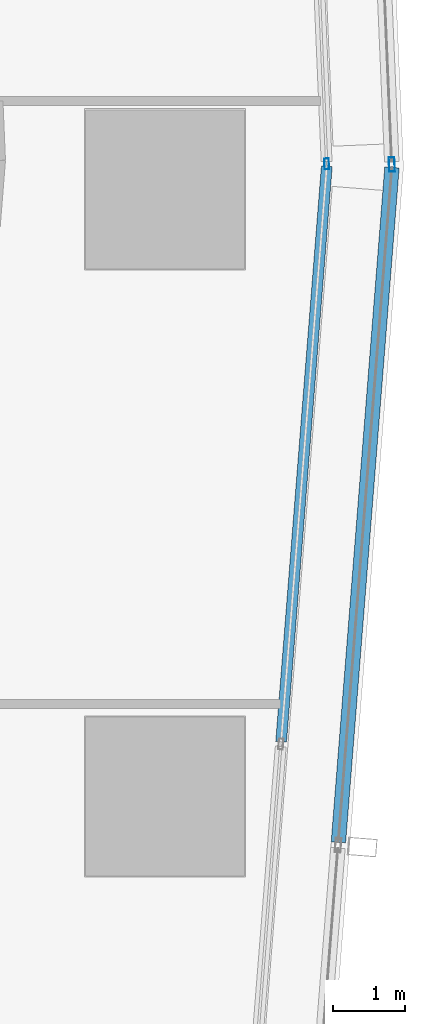
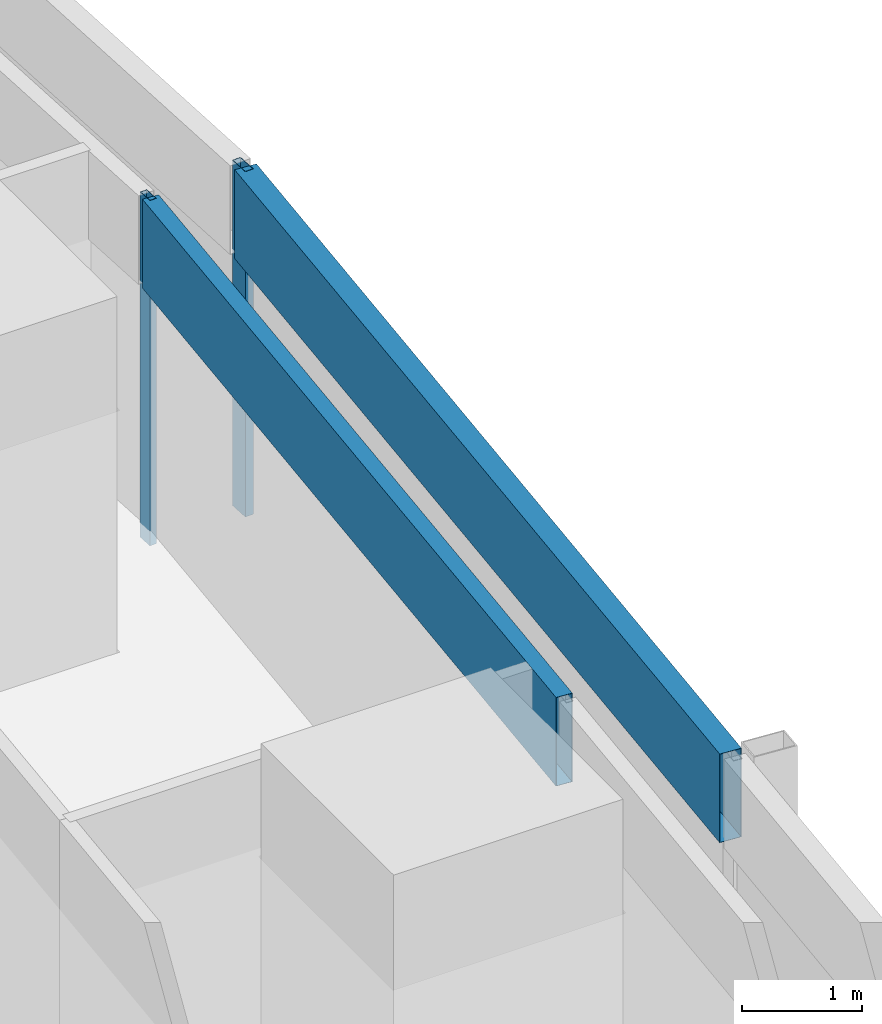
# One storey, part 26 of 45: 4 members, 4 elements without a shape of their own.
"""IFC4 building model written with IfcOpenShell, lengths in metres."""

from ifc_helpers import new_model, si_unit, direction, frame, origin, origin_2d, place, context, subcontext, project, spatial, hollow_rectangle, extrude, material, material_profile, profile_set, type_object, element, aggregate, save


model = new_model("IFC4")

# Units and contexts
model_context = context("Model", 3, precision=1e-05, world=origin(), true_north=direction((0.0, 1.0)))
body_context = subcontext(model_context, "Body", "Model", "MODEL_VIEW")
ifc_project = project(units=[si_unit("LENGTHUNIT", "METRE"), si_unit("AREAUNIT", "SQUARE_METRE"), si_unit("VOLUMEUNIT", "CUBIC_METRE"), si_unit("PLANEANGLEUNIT", "RADIAN"), si_unit("MASSUNIT", "GRAM", prefix="KILO")], contexts=[model_context])

# Site, building, storey
site_placement = place(None, origin())
site = spatial("IfcSite", under=ifc_project, at=site_placement, CompositionType="ELEMENT")
building_placement = place(site_placement, origin())
building = spatial("IfcBuilding", under=site, at=building_placement, Name="Rekha Terrace Tower", CompositionType="ELEMENT")
storey_placement = place(building_placement, frame((0.0, 0.0, 36.64990234375)))
storey = spatial("IfcBuildingStorey", under=building, at=storey_placement, Name="L08", CompositionType="ELEMENT", Elevation=36.64990234375)

# Curtain wall, member
ifc_material_1 = material(Name="Aluminium framing", Category="aluminium")
curtain_wall_type_1 = type_object("IfcCurtainWallType", Name="CW1 double skin inner glazing", PredefinedType="USERDEFINED", material=ifc_material_1)
curtain_wall_1_placement = place(storey_placement, origin())
curtain_wall_1 = element("IfcCurtainWall", 1, at=curtain_wall_1_placement, inside=storey, type_object=curtain_wall_type_1, Name="CW1 double skin inner glazing", ObjectType="DOUBLE SKIN INNER GLAZING", PredefinedType="USERDEFINED")
ifc_material_2 = material(Name="Aluminium mullion section", Category="aluminium")
ifc_material_profile_1 = material_profile(ifc_material_2, hollow_rectangle(XDim=0.06494140625, YDim=0.14990234375, WallThickness=0.00390625, at=origin_2d()), Name="AL RHS 65x150")
ifc_profile_set_1 = profile_set([ifc_material_profile_1], Name="Aluminium mullion section")
member_type_1 = type_object("IfcMemberType", Name="CW1 mullion RHS 65 x 150", PredefinedType="MULLION", material=ifc_profile_set_1)
member_1_placement = place(storey_placement, frame((69.436767578125, 25.5517578125, 0.0), z_axis=(0.0, 0.0, 1.0), x_axis=(-0.999088106904, -0.042696072921, 0.0)))
member_1 = element("IfcMember", 2, at=member_1_placement, type_object=member_type_1, Name="CW1 mullion 1", PredefinedType="MULLION", context=body_context, shape_type="SweptSolid", body=[
    extrude(hollow_rectangle(XDim=0.06494140625, YDim=0.14990234375, WallThickness=0.00390625, at=origin_2d()), origin(), (0.0, 0.0, 1.0), 3.5),
])
aggregate(curtain_wall_1, [member_1])

curtain_wall_2_placement = place(storey_placement, origin())
curtain_wall_2 = element("IfcCurtainWall", 3, at=curtain_wall_2_placement, inside=storey, type_object=curtain_wall_type_1, Name="CW1 double skin inner glazing", ObjectType="DOUBLE SKIN INNER GLAZING", PredefinedType="USERDEFINED")
ifc_material_3 = material(Name="Insulated aluminium spandrel box", Category="aluminium")
ifc_material_profile_2 = material_profile(ifc_material_3, hollow_rectangle(XDim=0.14990234375, YDim=0.89990234375, WallThickness=0.0029296875, at=origin_2d()), Name="AL SPANDREL BOX 150x900")
ifc_profile_set_2 = profile_set([ifc_material_profile_2], Name="Insulated aluminium spandrel box")
member_type_2 = type_object("IfcMemberType", Name="CW1 spandrel transom 150 x 900", PredefinedType="USERDEFINED", material=ifc_profile_set_2)
member_2_placement = place(storey_placement, frame((68.80615234375, 17.555908203125, 3.050048828125), z_axis=(0.07912449621, 0.996864742129, 0.0), x_axis=(-0.996864742129, 0.07912449621, 0.0)))
member_2 = element("IfcMember", 4, at=member_2_placement, type_object=member_type_2, Name="CW1 spandrel transom 2", ObjectType="TRANSOM", PredefinedType="USERDEFINED", context=body_context, shape_type="SweptSolid", body=[
    extrude(hollow_rectangle(XDim=0.14990234375, YDim=0.89990234375, WallThickness=0.0029296875, at=origin_2d()), origin(), (0.0, 0.0, 1.0), 7.988525390625),
])
aggregate(curtain_wall_2, [member_2])

curtain_wall_type_2 = type_object("IfcCurtainWallType", Name="CW2 double skin outer glazing", PredefinedType="USERDEFINED", material=ifc_material_1)
curtain_wall_3_placement = place(storey_placement, origin())
curtain_wall_3 = element("IfcCurtainWall", 5, at=curtain_wall_3_placement, inside=storey, type_object=curtain_wall_type_2, Name="CW2 double skin outer glazing", ObjectType="DOUBLE SKIN OUTER GLAZING", PredefinedType="USERDEFINED")
ifc_material_profile_3 = material_profile(ifc_material_2, hollow_rectangle(XDim=0.080078125, YDim=0.199951171875, WallThickness=0.00390625, at=origin_2d()), Name="AL RHS 80x200")
ifc_profile_set_3 = profile_set([ifc_material_profile_3], Name="Aluminium mullion section")
member_type_3 = type_object("IfcMemberType", Name="CW2 mullion RHS 80 x 200", PredefinedType="MULLION", material=ifc_profile_set_3)
member_3_placement = place(storey_placement, frame((70.338134765625, 25.54296875, 0.0), z_axis=(0.0, 0.0, 1.0), x_axis=(-0.999088106903, -0.042696072956, 0.0)))
member_3 = element("IfcMember", 6, at=member_3_placement, type_object=member_type_3, Name="CW2 mullion 1", PredefinedType="MULLION", context=body_context, shape_type="SweptSolid", body=[
    extrude(hollow_rectangle(XDim=0.080078125, YDim=0.199951171875, WallThickness=0.00390625, at=origin_2d()), origin(), (0.0, 0.0, 1.0), 3.5),
])
aggregate(curtain_wall_3, [member_3])

curtain_wall_4_placement = place(storey_placement, origin())
curtain_wall_4 = element("IfcCurtainWall", 7, at=curtain_wall_4_placement, inside=storey, type_object=curtain_wall_type_2, Name="CW2 double skin outer glazing", ObjectType="DOUBLE SKIN OUTER GLAZING", PredefinedType="USERDEFINED")
ifc_material_profile_4 = material_profile(ifc_material_3, hollow_rectangle(XDim=0.199951171875, YDim=0.89990234375, WallThickness=0.0029296875, at=origin_2d()), Name="AL SPANDREL BOX 200x900")
ifc_profile_set_4 = profile_set([ifc_material_profile_4], Name="Insulated aluminium spandrel box")
member_type_4 = type_object("IfcMemberType", Name="CW2 spandrel transom 200 x 900", PredefinedType="USERDEFINED", material=ifc_profile_set_4)
member_4_placement = place(storey_placement, frame((69.5986328125, 16.16552734375, 3.050048828125), z_axis=(0.079131924046, 0.996864152529, 0.0), x_axis=(-0.996864152529, 0.079131924046, 0.0)))
member_4 = element("IfcMember", 8, at=member_4_placement, type_object=member_type_4, Name="CW2 spandrel transom 2", ObjectType="TRANSOM", PredefinedType="USERDEFINED", context=body_context, shape_type="SweptSolid", body=[
    extrude(hollow_rectangle(XDim=0.199951171875, YDim=0.89990234375, WallThickness=0.0029296875, at=origin_2d()), origin(), (0.0, 0.0, 1.0), 9.36669921875),
])
aggregate(curtain_wall_4, [member_4])

save(model, "model.ifc")
